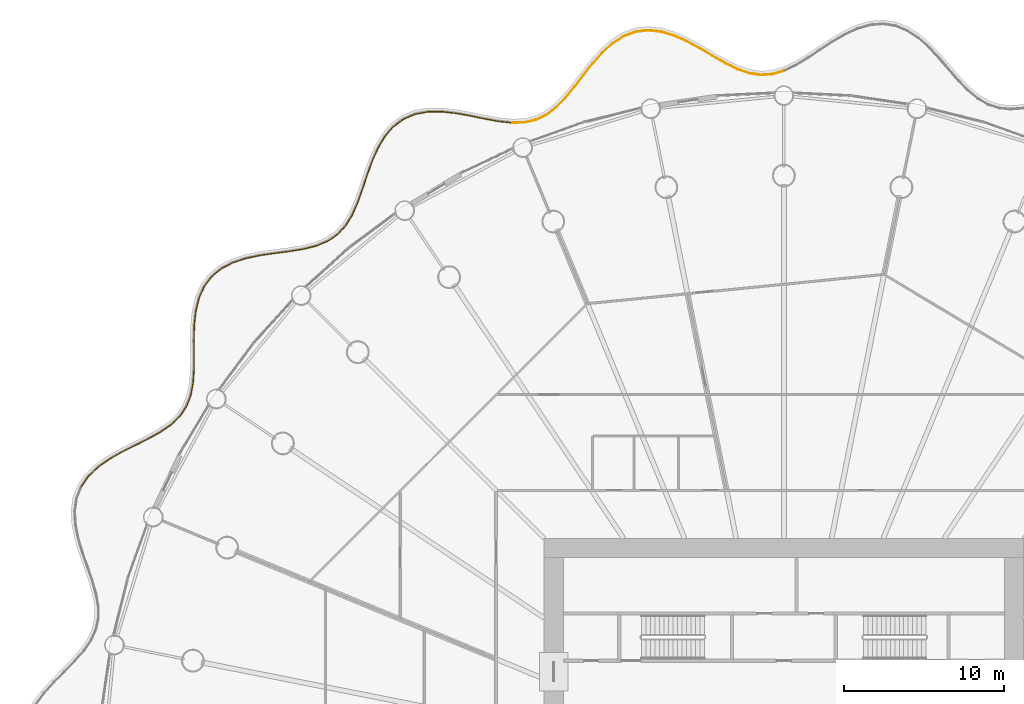
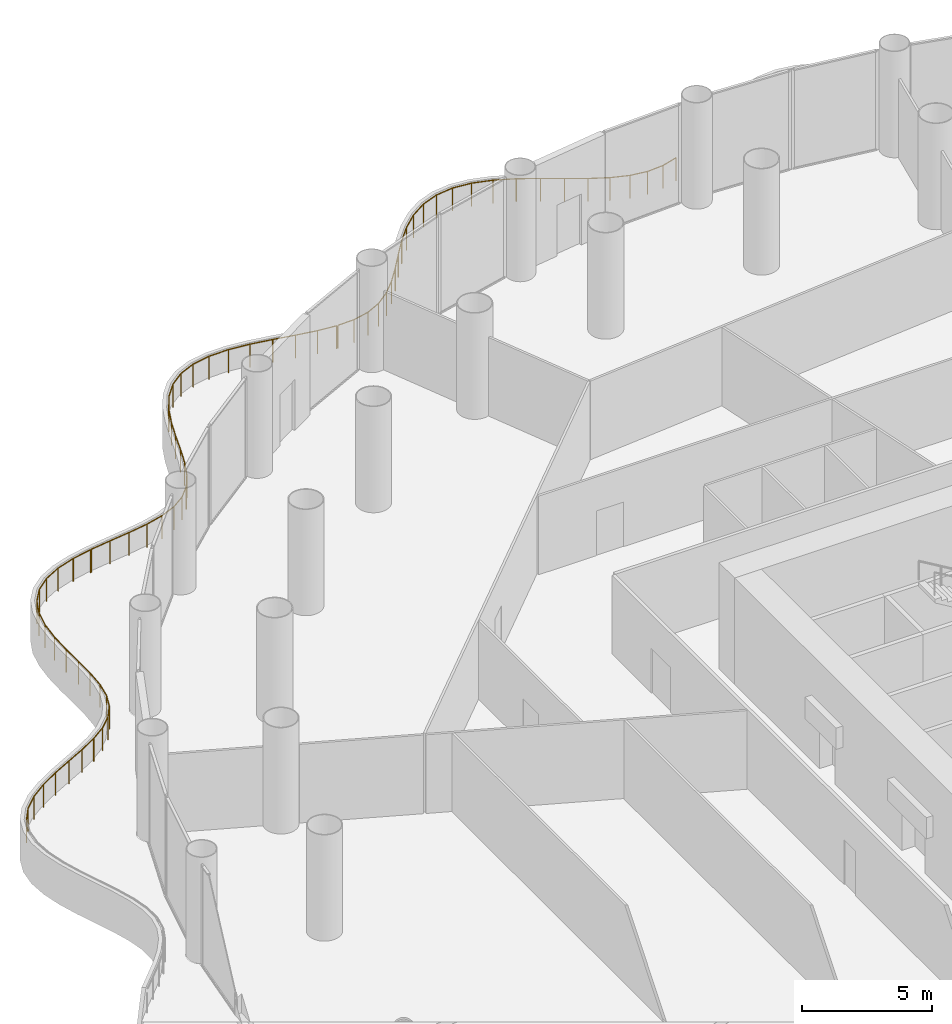
# One storey, part 34 of 35: 3 railings.
"""IFC4 building model written with IfcOpenShell, lengths in metres."""

from ifc_helpers import new_model, si_unit, direction, frame, origin, origin_2d, place, context, subcontext, project, spatial, circle, extrude, material, type_object, element, save


model = new_model("IFC4")

# Units and contexts
model_context = context("Model", 3, precision=1e-05, world=origin(), true_north=direction((0.0, 1.0)))
body_context = subcontext(model_context, "Body", "Model", "MODEL_VIEW")
ifc_project = project(units=[si_unit("LENGTHUNIT", "METRE"), si_unit("AREAUNIT", "SQUARE_METRE"), si_unit("VOLUMEUNIT", "CUBIC_METRE"), si_unit("PLANEANGLEUNIT", "RADIAN"), si_unit("MASSUNIT", "GRAM", prefix="KILO")], contexts=[model_context])

# Site, building, storey
site_placement = place(None, origin())
site = spatial("IfcSite", under=ifc_project, at=site_placement, CompositionType="ELEMENT")
building_placement = place(site_placement, origin())
building = spatial("IfcBuilding", under=site, at=building_placement, Name="Corvane Civic Tower", CompositionType="ELEMENT")
storey_placement = place(building_placement, frame((0.0, 0.0, 27.0)))
storey = spatial("IfcBuildingStorey", under=building, at=storey_placement, Name="L05", CompositionType="ELEMENT", Elevation=27.0)

# Railings
ifc_material = material(Name="Steel ASTM A572 Gr 50", Category="steel")
railing_type = type_object("IfcRailingType", Name="PODIUM-RL-GUARD-1100", PredefinedType="GUARDRAIL", material=ifc_material)
railing_1_placement = place(storey_placement, frame((-0.02392578125, 44.244384765625, 0.0)))
element("IfcRailing", 1, at=railing_1_placement, inside=storey, type_object=railing_type, Name="L05 ribbon guard 1", PredefinedType="GUARDRAIL", context=body_context, shape_type="SweptSolid", body=[
    extrude(circle(Radius=0.02392578125, at=origin_2d()), frame((0.0, 0.0, 1.076171875), z_axis=(-0.961294828304, -0.275521783305, 0.0), x_axis=(0.275521783305, -0.961294828304, 0.0)), (0.0, 0.0, 1.0), 0.724853515625),
    extrude(circle(Radius=0.02392578125, at=origin_2d()), frame((-0.69677734375, -0.19970703125, 1.076171875), z_axis=(-0.997635933822, -0.068720765038, 0.0), x_axis=(0.068720765038, -0.997635933822, 0.0)), (0.0, 0.0, 1.0), 0.72119140625),
    extrude(circle(Radius=0.02392578125, at=origin_2d()), frame((-1.416259765625, -0.249267578125, 1.076171875), z_axis=(-0.988711030335, 0.149834904127, 0.0), x_axis=(-0.149834904127, -0.988711030335, 0.0)), (0.0, 0.0, 1.0), 0.73486328125),
    extrude(circle(Radius=0.02392578125, at=origin_2d()), frame((-2.142822265625, -0.13916015625, 1.076171875), z_axis=(-0.945041590136, 0.326950138268, 0.0), x_axis=(-0.326950138268, -0.945041590136, 0.0)), (0.0, 0.0, 1.0), 0.783935546875),
    extrude(circle(Radius=0.02392578125, at=origin_2d()), frame((-2.8837890625, 0.1171875, 1.076171875), z_axis=(-0.897860384809, 0.440280285036, 0.0), x_axis=(-0.440280285036, -0.897860384809, 0.0)), (0.0, 0.0, 1.0), 0.8466796875),
    extrude(circle(Radius=0.02392578125, at=origin_2d()), frame((-3.64404296875, 0.489990234375, 1.076171875), z_axis=(-0.867642581652, 0.497188445666, 0.0), x_axis=(-0.497188445666, -0.867642581652, 0.0)), (0.0, 0.0, 1.0), 0.901611328125),
    extrude(circle(Radius=0.02392578125, at=origin_2d()), frame((-4.42626953125, 0.938232421875, 1.076171875), z_axis=(-0.861171719591, 0.50831414438, 0.0), x_axis=(-0.50831414438, -0.861171719591, 0.0)), (0.0, 0.0, 1.0), 0.931396484375),
    extrude(circle(Radius=0.02392578125, at=origin_2d()), frame((-5.228271484375, 1.41162109375, 1.076171875), z_axis=(-0.878186201729, 0.478318926128, 0.0), x_axis=(-0.478318926128, -0.878186201729, 0.0)), (0.0, 0.0, 1.0), 0.930419921875),
    extrude(circle(Radius=0.02392578125, at=origin_2d()), frame((-6.04541015625, 1.856689453125, 1.076171875), z_axis=(-0.914180103654, 0.405308201353, 0.0), x_axis=(-0.405308201353, -0.914180103654, 0.0)), (0.0, 0.0, 1.0), 0.900634765625),
    extrude(circle(Radius=0.02392578125, at=origin_2d()), frame((-6.86865234375, 2.2216796875, 1.076171875), z_axis=(-0.959533934686, 0.281593018709, 0.0), x_axis=(-0.281593018709, -0.959533934686, 0.0)), (0.0, 0.0, 1.0), 0.85302734375),
    extrude(circle(Radius=0.02392578125, at=origin_2d()), frame((-7.687255859375, 2.4619140625, 1.076171875), z_axis=(-0.994874001102, 0.101122311737, 0.0), x_axis=(-0.101122311737, -0.994874001102, 0.0)), (0.0, 0.0, 1.0), 0.806396484375),
    extrude(circle(Radius=0.02392578125, at=origin_2d()), frame((-8.489501953125, 2.54345703125, 1.076171875), z_axis=(-0.992330745237, -0.12361105152, 0.0), x_axis=(0.12361105152, -0.992330745237, 0.0)), (0.0, 0.0, 1.0), 0.7802734375),
    extrude(circle(Radius=0.02392578125, at=origin_2d()), frame((-9.263671875, 2.447021484375, 1.076171875), z_axis=(-0.93579289965, -0.352550207721, 0.0), x_axis=(0.352550207721, -0.93579289965, 0.0)), (0.0, 0.0, 1.0), 0.787353515625),
    extrude(circle(Radius=0.02392578125, at=origin_2d()), frame((-10.00048828125, 2.16943359375, 1.076171875), z_axis=(-0.841447725279, -0.540338528724, 0.0), x_axis=(0.540338528724, -0.841447725279, 0.0)), (0.0, 0.0, 1.0), 0.82470703125),
    extrude(circle(Radius=0.02392578125, at=origin_2d()), frame((-10.6943359375, 1.723876953125, 1.076171875), z_axis=(-0.743141376178, -0.669134437175, 0.0), x_axis=(0.669134437175, -0.743141376178, 0.0)), (0.0, 0.0, 1.0), 0.874267578125),
    extrude(circle(Radius=0.02392578125, at=origin_2d()), frame((-11.343994140625, 1.138916015625, 1.076171875), z_axis=(-0.664876433577, -0.746953364055, 0.0), x_axis=(0.746953364055, -0.664876433577, 0.0)), (0.0, 0.0, 1.0), 0.916259765625),
    extrude(circle(Radius=0.02392578125, at=origin_2d()), frame((-11.953125, 0.45458984375, 1.076171875), z_axis=(-0.617983033731, -0.786191433444, 0.0), x_axis=(0.786191433444, -0.617983033731, 0.0)), (0.0, 0.0, 1.0), 0.934814453125),
    extrude(circle(Radius=0.02392578125, at=origin_2d()), frame((-12.53076171875, -0.2802734375, 1.076171875), z_axis=(-0.606250579287, -0.795273685667, 0.0), x_axis=(0.795273685667, -0.606250579287, 0.0)), (0.0, 0.0, 1.0), 0.922119140625),
    extrude(circle(Radius=0.02392578125, at=origin_2d()), frame((-13.08984375, -1.013671875, 1.076171875), z_axis=(-0.632739607514, -0.774364635739, 0.0), x_axis=(0.774364635739, -0.632739607514, 0.0)), (0.0, 0.0, 1.0), 0.880859375),
    extrude(circle(Radius=0.02392578125, at=origin_2d()), frame((-13.647216796875, -1.69580078125, 1.076171875), z_axis=(-0.698573011535, -0.715538781308, 0.0), x_axis=(0.715538781308, -0.698573011535, 0.0)), (0.0, 0.0, 1.0), 0.8203125),
    extrude(circle(Radius=0.02392578125, at=origin_2d()), frame((-14.22021484375, -2.28271484375, 1.076171875), z_axis=(-0.796867223866, -0.604154473233, 0.0), x_axis=(0.604154473233, -0.796867223866, 0.0)), (0.0, 0.0, 1.0), 0.760009765625),
    extrude(circle(Radius=0.02392578125, at=origin_2d()), frame((-14.825927734375, -2.741943359375, 1.076171875), z_axis=(-0.902179876874, -0.431360023373, 0.0), x_axis=(0.431360023373, -0.902179876874, 0.0)), (0.0, 0.0, 1.0), 0.723876953125),
    extrude(circle(Radius=0.02392578125, at=origin_2d()), frame((-15.47900390625, -3.05419921875, 1.076171875), z_axis=(-0.974852266638, -0.222852099455, 0.0), x_axis=(0.222852099455, -0.974852266638, 0.0)), (0.0, 0.0, 1.0), 0.728515625),
    extrude(circle(Radius=0.02392578125, at=origin_2d()), frame((-16.189208984375, -3.216552734375, 1.076171875), z_axis=(-0.999506634758, -0.031408391796, 0.0), x_axis=(0.031408391796, -0.999506634758, 0.0)), (0.0, 0.0, 1.0), 0.746337890625),
    extrude(circle(Radius=0.02099609375, at=origin_2d()), origin(), (0.0, 0.0, 1.0), 1.052001953125),
    extrude(circle(Radius=0.02099609375, at=origin_2d()), frame((-0.69677734375, -0.19970703125, 0.0)), (0.0, 0.0, 1.0), 1.052001953125),
    extrude(circle(Radius=0.02099609375, at=origin_2d()), frame((-1.416259765625, -0.249267578125, 0.0)), (0.0, 0.0, 1.0), 1.052001953125),
    extrude(circle(Radius=0.02099609375, at=origin_2d()), frame((-2.142822265625, -0.13916015625, 0.0)), (0.0, 0.0, 1.0), 1.052001953125),
    extrude(circle(Radius=0.02099609375, at=origin_2d()), frame((-2.8837890625, 0.1171875, 0.0)), (0.0, 0.0, 1.0), 1.052001953125),
    extrude(circle(Radius=0.02099609375, at=origin_2d()), frame((-3.64404296875, 0.489990234375, 0.0)), (0.0, 0.0, 1.0), 1.052001953125),
    extrude(circle(Radius=0.02099609375, at=origin_2d()), frame((-4.42626953125, 0.938232421875, 0.0)), (0.0, 0.0, 1.0), 1.052001953125),
    extrude(circle(Radius=0.02099609375, at=origin_2d()), frame((-5.228271484375, 1.41162109375, 0.0)), (0.0, 0.0, 1.0), 1.052001953125),
    extrude(circle(Radius=0.02099609375, at=origin_2d()), frame((-6.04541015625, 1.856689453125, 0.0)), (0.0, 0.0, 1.0), 1.052001953125),
    extrude(circle(Radius=0.02099609375, at=origin_2d()), frame((-6.86865234375, 2.2216796875, 0.0)), (0.0, 0.0, 1.0), 1.052001953125),
    extrude(circle(Radius=0.02099609375, at=origin_2d()), frame((-7.687255859375, 2.4619140625, 0.0)), (0.0, 0.0, 1.0), 1.052001953125),
    extrude(circle(Radius=0.02099609375, at=origin_2d()), frame((-8.489501953125, 2.54345703125, 0.0)), (0.0, 0.0, 1.0), 1.052001953125),
    extrude(circle(Radius=0.02099609375, at=origin_2d()), frame((-9.263671875, 2.447021484375, 0.0)), (0.0, 0.0, 1.0), 1.052001953125),
    extrude(circle(Radius=0.02099609375, at=origin_2d()), frame((-10.00048828125, 2.16943359375, 0.0)), (0.0, 0.0, 1.0), 1.052001953125),
    extrude(circle(Radius=0.02099609375, at=origin_2d()), frame((-10.6943359375, 1.723876953125, 0.0)), (0.0, 0.0, 1.0), 1.052001953125),
    extrude(circle(Radius=0.02099609375, at=origin_2d()), frame((-11.343994140625, 1.138916015625, 0.0)), (0.0, 0.0, 1.0), 1.052001953125),
    extrude(circle(Radius=0.02099609375, at=origin_2d()), frame((-11.953125, 0.45458984375, 0.0)), (0.0, 0.0, 1.0), 1.052001953125),
    extrude(circle(Radius=0.02099609375, at=origin_2d()), frame((-12.53076171875, -0.2802734375, 0.0)), (0.0, 0.0, 1.0), 1.052001953125),
    extrude(circle(Radius=0.02099609375, at=origin_2d()), frame((-13.08984375, -1.013671875, 0.0)), (0.0, 0.0, 1.0), 1.052001953125),
    extrude(circle(Radius=0.02099609375, at=origin_2d()), frame((-13.647216796875, -1.69580078125, 0.0)), (0.0, 0.0, 1.0), 1.052001953125),
    extrude(circle(Radius=0.02099609375, at=origin_2d()), frame((-14.22021484375, -2.28271484375, 0.0)), (0.0, 0.0, 1.0), 1.052001953125),
    extrude(circle(Radius=0.02099609375, at=origin_2d()), frame((-14.825927734375, -2.741943359375, 0.0)), (0.0, 0.0, 1.0), 1.052001953125),
    extrude(circle(Radius=0.02099609375, at=origin_2d()), frame((-15.47900390625, -3.05419921875, 0.0)), (0.0, 0.0, 1.0), 1.052001953125),
    extrude(circle(Radius=0.02099609375, at=origin_2d()), frame((-16.189208984375, -3.216552734375, 0.0)), (0.0, 0.0, 1.0), 1.052001953125),
    extrude(circle(Radius=0.02099609375, at=origin_2d()), frame((-16.93505859375, -3.239990234375, 0.0)), (0.0, 0.0, 1.0), 1.052001953125),
])
railing_2_placement = place(storey_placement, frame((-17.009033203125, 41.00634765625, 0.0)))
element("IfcRailing", 2, at=railing_2_placement, inside=storey, type_object=railing_type, Name="L05 ribbon guard 2", PredefinedType="GUARDRAIL", context=body_context, shape_type="SweptSolid", body=[
    extrude(circle(Radius=0.02392578125, at=origin_2d()), frame((0.0, 0.0, 1.076171875), z_axis=(-0.994563188022, 0.104134840627, 0.0), x_axis=(-0.104134840627, -0.994563188022, 0.0)), (0.0, 0.0, 1.0), 0.808837890625),
    extrude(circle(Radius=0.02392578125, at=origin_2d()), frame((-0.804443359375, 0.084228515625, 1.076171875), z_axis=(-0.983729388064, 0.179656592029, 0.0), x_axis=(-0.179656592029, -0.983729388064, 0.0)), (0.0, 0.0, 1.0), 0.891357421875),
    extrude(circle(Radius=0.02392578125, at=origin_2d()), frame((-1.681396484375, 0.244384765625, 1.076171875), z_axis=(-0.979305409601, 0.202388030095, 0.0), x_axis=(-0.202388030095, -0.979305409601, 0.0)), (0.0, 0.0, 1.0), 0.927734375),
    extrude(circle(Radius=0.02392578125, at=origin_2d()), frame((-2.58984375, 0.43212890625, 1.076171875), z_axis=(-0.983999420882, 0.178171657969, 0.0), x_axis=(-0.178171657969, -0.983999420882, 0.0)), (0.0, 0.0, 1.0), 0.93310546875),
    extrude(circle(Radius=0.02392578125, at=origin_2d()), frame((-3.508056640625, 0.598388671875, 1.076171875), z_axis=(-0.994181417549, 0.107718656697, 0.0), x_axis=(-0.107718656697, -0.994181417549, 0.0)), (0.0, 0.0, 1.0), 0.908935546875),
    extrude(circle(Radius=0.02392578125, at=origin_2d()), frame((-4.41162109375, 0.6962890625, 1.076171875), z_axis=(-0.999911774813, -0.013283169422, 0.0), x_axis=(0.013283169422, -0.999911774813, 0.0)), (0.0, 0.0, 1.0), 0.86376953125),
    extrude(circle(Radius=0.02392578125, at=origin_2d()), frame((-5.275390625, 0.684814453125, 1.076171875), z_axis=(-0.982654443902, -0.185446067309, 0.0), x_axis=(0.185446067309, -0.982654443902, 0.0)), (0.0, 0.0, 1.0), 0.81494140625),
    extrude(circle(Radius=0.02392578125, at=origin_2d()), frame((-6.076171875, 0.53369140625, 1.076171875), z_axis=(-0.919080514782, -0.394069800096, 0.0), x_axis=(0.394069800096, -0.919080514782, 0.0)), (0.0, 0.0, 1.0), 0.783203125),
    extrude(circle(Radius=0.02392578125, at=origin_2d()), frame((-6.7958984375, 0.22509765625, 1.076171875), z_axis=(-0.800859579337, -0.598852180579, 0.0), x_axis=(0.598852180579, -0.800859579337, 0.0)), (0.0, 0.0, 1.0), 0.783203125),
    extrude(circle(Radius=0.02392578125, at=origin_2d()), frame((-7.423095703125, -0.243896484375, 1.076171875), z_axis=(-0.651925594689, -0.758282941249, 0.0), x_axis=(0.758282941249, -0.651925594689, 0.0)), (0.0, 0.0, 1.0), 0.81494140625),
    extrude(circle(Radius=0.02392578125, at=origin_2d()), frame((-7.954345703125, -0.86181640625, 1.076171875), z_axis=(-0.511250319836, -0.859431853301, 0.0), x_axis=(0.859431853301, -0.511250319836, 0.0)), (0.0, 0.0, 1.0), 0.86376953125),
    extrude(circle(Radius=0.02392578125, at=origin_2d()), frame((-8.39599609375, -1.604248046875, 1.076171875), z_axis=(-0.404043622694, -0.914739717603, 0.0), x_axis=(0.914739717603, -0.404043622694, 0.0)), (0.0, 0.0, 1.0), 0.90869140625),
    extrude(circle(Radius=0.02392578125, at=origin_2d()), frame((-8.76318359375, -2.435546875, 1.076171875), z_axis=(-0.337496288976, -0.941326858709, 0.0), x_axis=(0.941326858709, -0.337496288976, 0.0)), (0.0, 0.0, 1.0), 0.93310546875),
    extrude(circle(Radius=0.02392578125, at=origin_2d()), frame((-9.078125, -3.31396484375, 1.076171875), z_axis=(-0.314490302108, -0.949260685945, 0.0), x_axis=(0.949260685945, -0.314490302108, 0.0)), (0.0, 0.0, 1.0), 0.927734375),
    extrude(circle(Radius=0.02392578125, at=origin_2d()), frame((-9.369873046875, -4.194580078125, 1.076171875), z_axis=(-0.336284353127, -0.94176049707, 0.0), x_axis=(0.94176049707, -0.336284353127, 0.0)), (0.0, 0.0, 1.0), 0.8916015625),
    extrude(circle(Radius=0.02392578125, at=origin_2d()), frame((-9.669677734375, -5.0341796875, 1.076171875), z_axis=(-0.407062095939, -0.913400487218, 0.0), x_axis=(0.913400487218, -0.407062095939, 0.0)), (0.0, 0.0, 1.0), 0.833740234375),
    extrude(circle(Radius=0.02392578125, at=origin_2d()), frame((-10.009033203125, -5.795654296875, 1.076171875), z_axis=(-0.527095063724, -0.849806327229, 0.0), x_axis=(0.849806327229, -0.527095063724, 0.0)), (0.0, 0.0, 1.0), 0.771728515625),
    extrude(circle(Radius=0.02392578125, at=origin_2d()), frame((-10.415771484375, -6.451416015625, 1.076171875), z_axis=(-0.680129605089, -0.733091890749, 0.0), x_axis=(0.733091890749, -0.680129605089, 0.0)), (0.0, 0.0, 1.0), 0.728271484375),
    extrude(circle(Radius=0.02392578125, at=origin_2d()), frame((-10.9111328125, -6.9853515625, 1.076171875), z_axis=(-0.824769290196, -0.565469378437, 0.0), x_axis=(0.565469378437, -0.824769290196, 0.0)), (0.0, 0.0, 1.0), 0.72412109375),
    extrude(circle(Radius=0.02392578125, at=origin_2d()), frame((-11.50830078125, -7.394775390625, 1.076171875), z_axis=(-0.921635375138, -0.388057000058, 0.0), x_axis=(0.388057000058, -0.921635375138, 0.0)), (0.0, 0.0, 1.0), 0.760009765625),
    extrude(circle(Radius=0.02392578125, at=origin_2d()), frame((-12.208740234375, -7.689697265625, 1.076171875), z_axis=(-0.968940471293, -0.2472940822, 0.0), x_axis=(0.2472940822, -0.968940471293, 0.0)), (0.0, 0.0, 1.0), 0.8203125),
    extrude(circle(Radius=0.02392578125, at=origin_2d()), frame((-13.003662109375, -7.892578125, 1.076171875), z_axis=(-0.987030777898, -0.160531129327, 0.0), x_axis=(0.160531129327, -0.987030777898, 0.0)), (0.0, 0.0, 1.0), 0.880615234375),
    extrude(circle(Radius=0.02392578125, at=origin_2d()), frame((-13.872802734375, -8.033935546875, 1.076171875), z_axis=(-0.991831949658, -0.12755149406, 0.0), x_axis=(0.12755149406, -0.991831949658, 0.0)), (0.0, 0.0, 1.0), 0.922607421875),
    extrude(circle(Radius=0.02392578125, at=origin_2d()), frame((-14.787841796875, -8.151611328125, 1.076171875), z_axis=(-0.989868812418, -0.141984978788, 0.0), x_axis=(0.141984978788, -0.989868812418, 0.0)), (0.0, 0.0, 1.0), 0.90966796875),
    extrude(circle(Radius=0.02099609375, at=origin_2d()), origin(), (0.0, 0.0, 1.0), 1.052001953125),
    extrude(circle(Radius=0.02099609375, at=origin_2d()), frame((-0.804443359375, 0.084228515625, 0.0)), (0.0, 0.0, 1.0), 1.052001953125),
    extrude(circle(Radius=0.02099609375, at=origin_2d()), frame((-1.681396484375, 0.244384765625, 0.0)), (0.0, 0.0, 1.0), 1.052001953125),
    extrude(circle(Radius=0.02099609375, at=origin_2d()), frame((-2.58984375, 0.43212890625, 0.0)), (0.0, 0.0, 1.0), 1.052001953125),
    extrude(circle(Radius=0.02099609375, at=origin_2d()), frame((-3.508056640625, 0.598388671875, 0.0)), (0.0, 0.0, 1.0), 1.052001953125),
    extrude(circle(Radius=0.02099609375, at=origin_2d()), frame((-4.41162109375, 0.6962890625, 0.0)), (0.0, 0.0, 1.0), 1.052001953125),
    extrude(circle(Radius=0.02099609375, at=origin_2d()), frame((-5.275390625, 0.684814453125, 0.0)), (0.0, 0.0, 1.0), 1.052001953125),
    extrude(circle(Radius=0.02099609375, at=origin_2d()), frame((-6.076171875, 0.53369140625, 0.0)), (0.0, 0.0, 1.0), 1.052001953125),
    extrude(circle(Radius=0.02099609375, at=origin_2d()), frame((-6.7958984375, 0.22509765625, 0.0)), (0.0, 0.0, 1.0), 1.052001953125),
    extrude(circle(Radius=0.02099609375, at=origin_2d()), frame((-7.423095703125, -0.243896484375, 0.0)), (0.0, 0.0, 1.0), 1.052001953125),
    extrude(circle(Radius=0.02099609375, at=origin_2d()), frame((-7.954345703125, -0.86181640625, 0.0)), (0.0, 0.0, 1.0), 1.052001953125),
    extrude(circle(Radius=0.02099609375, at=origin_2d()), frame((-8.39599609375, -1.604248046875, 0.0)), (0.0, 0.0, 1.0), 1.052001953125),
    extrude(circle(Radius=0.02099609375, at=origin_2d()), frame((-8.76318359375, -2.435546875, 0.0)), (0.0, 0.0, 1.0), 1.052001953125),
    extrude(circle(Radius=0.02099609375, at=origin_2d()), frame((-9.078125, -3.31396484375, 0.0)), (0.0, 0.0, 1.0), 1.052001953125),
    extrude(circle(Radius=0.02099609375, at=origin_2d()), frame((-9.369873046875, -4.194580078125, 0.0)), (0.0, 0.0, 1.0), 1.052001953125),
    extrude(circle(Radius=0.02099609375, at=origin_2d()), frame((-9.669677734375, -5.0341796875, 0.0)), (0.0, 0.0, 1.0), 1.052001953125),
    extrude(circle(Radius=0.02099609375, at=origin_2d()), frame((-10.009033203125, -5.795654296875, 0.0)), (0.0, 0.0, 1.0), 1.052001953125),
    extrude(circle(Radius=0.02099609375, at=origin_2d()), frame((-10.415771484375, -6.451416015625, 0.0)), (0.0, 0.0, 1.0), 1.052001953125),
    extrude(circle(Radius=0.02099609375, at=origin_2d()), frame((-10.9111328125, -6.9853515625, 0.0)), (0.0, 0.0, 1.0), 1.052001953125),
    extrude(circle(Radius=0.02099609375, at=origin_2d()), frame((-11.50830078125, -7.394775390625, 0.0)), (0.0, 0.0, 1.0), 1.052001953125),
    extrude(circle(Radius=0.02099609375, at=origin_2d()), frame((-12.208740234375, -7.689697265625, 0.0)), (0.0, 0.0, 1.0), 1.052001953125),
    extrude(circle(Radius=0.02099609375, at=origin_2d()), frame((-13.003662109375, -7.892578125, 0.0)), (0.0, 0.0, 1.0), 1.052001953125),
    extrude(circle(Radius=0.02099609375, at=origin_2d()), frame((-13.872802734375, -8.033935546875, 0.0)), (0.0, 0.0, 1.0), 1.052001953125),
    extrude(circle(Radius=0.02099609375, at=origin_2d()), frame((-14.787841796875, -8.151611328125, 0.0)), (0.0, 0.0, 1.0), 1.052001953125),
    extrude(circle(Radius=0.02099609375, at=origin_2d()), frame((-15.688232421875, -8.28076171875, 0.0)), (0.0, 0.0, 1.0), 1.052001953125),
])
railing_3_placement = place(storey_placement, frame((-32.746337890625, 32.716796875, 0.0)))
element("IfcRailing", 3, at=railing_3_placement, inside=storey, type_object=railing_type, Name="L05 ribbon guard 3", PredefinedType="GUARDRAIL", context=body_context, shape_type="SweptSolid", body=[
    extrude(circle(Radius=0.02392578125, at=origin_2d()), frame((0.0, 0.0, 1.076171875), z_axis=(-0.979350284104, -0.202170771935, 0.0), x_axis=(0.202170771935, -0.979350284104, 0.0)), (0.0, 0.0, 1.0), 0.89111328125),
    extrude(circle(Radius=0.02392578125, at=origin_2d()), frame((-0.872802734375, -0.18017578125, 1.076171875), z_axis=(-0.951112018986, -0.308846122431, 0.0), x_axis=(0.308846122431, -0.951112018986, 0.0)), (0.0, 0.0, 1.0), 0.874267578125),
    extrude(circle(Radius=0.02392578125, at=origin_2d()), frame((-1.704345703125, -0.4501953125, 1.076171875), z_axis=(-0.888608978044, -0.458665547148, 0.0), x_axis=(0.458665547148, -0.888608978044, 0.0)), (0.0, 0.0, 1.0), 0.824462890625),
    extrude(circle(Radius=0.02392578125, at=origin_2d()), frame((-2.43701171875, -0.828369140625, 1.076171875), z_axis=(-0.773127936515, -0.634250103492, 0.0), x_axis=(0.634250103492, -0.773127936515, 0.0)), (0.0, 0.0, 1.0), 0.78759765625),
    extrude(circle(Radius=0.02392578125, at=origin_2d()), frame((-3.0458984375, -1.327880859375, 1.076171875), z_axis=(-0.603049995362, -0.797703392931, 0.0), x_axis=(0.797703392931, -0.603049995362, 0.0)), (0.0, 0.0, 1.0), 0.780029296875),
    extrude(circle(Radius=0.02392578125, at=origin_2d()), frame((-3.516357421875, -1.9501953125, 1.076171875), z_axis=(-0.41001209647, -0.912080084613, 0.0), x_axis=(0.912080084613, -0.41001209647, 0.0)), (0.0, 0.0, 1.0), 0.80615234375),
    extrude(circle(Radius=0.02392578125, at=origin_2d()), frame((-3.846923828125, -2.685546875, 1.076171875), z_axis=(-0.235796585795, -0.971802433691, 0.0), x_axis=(0.971802433691, -0.235796585795, 0.0)), (0.0, 0.0, 1.0), 0.853271484375),
    extrude(circle(Radius=0.02392578125, at=origin_2d()), frame((-4.048095703125, -3.5146484375, 1.076171875), z_axis=(-0.105997077035, -0.994366441338, 0.0), x_axis=(0.994366441338, -0.105997077035, 0.0)), (0.0, 0.0, 1.0), 0.900634765625),
    extrude(circle(Radius=0.02392578125, at=origin_2d()), frame((-4.1435546875, -4.41015625, 1.076171875), z_axis=(-0.024933175743, -0.999689120051, 0.0), x_axis=(0.999689120051, -0.024933175743, 0.0)), (0.0, 0.0, 1.0), 0.93017578125),
    extrude(circle(Radius=0.02392578125, at=origin_2d()), frame((-4.166748046875, -5.340087890625, 1.076171875), z_axis=(0.009436015013, -0.999955479819, 0.0), x_axis=(0.999955479819, 0.009436015013, 0.0)), (0.0, 0.0, 1.0), 0.931396484375),
    extrude(circle(Radius=0.02392578125, at=origin_2d()), frame((-4.157958984375, -6.271484375, 1.076171875), z_axis=(-0.003250253688, -0.999994717912, 0.0), x_axis=(0.999994717912, -0.003250253688, 0.0)), (0.0, 0.0, 1.0), 0.9013671875),
    extrude(circle(Radius=0.02392578125, at=origin_2d()), frame((-4.160888671875, -7.1728515625, 1.076171875), z_axis=(-0.067437118765, -0.99772352634, 0.0), x_axis=(0.99772352634, -0.067437118765, 0.0)), (0.0, 0.0, 1.0), 0.84716796875),
    extrude(circle(Radius=0.02392578125, at=origin_2d()), frame((-4.218017578125, -8.01806640625, 1.076171875), z_axis=(-0.18970227519, -0.981841660752, 0.0), x_axis=(0.981841660752, -0.18970227519, 0.0)), (0.0, 0.0, 1.0), 0.78369140625),
    extrude(circle(Radius=0.02392578125, at=origin_2d()), frame((-4.36669921875, -8.78759765625, 1.076171875), z_axis=(-0.36444945393, -0.93122317171, 0.0), x_axis=(0.93122317171, -0.36444945393, 0.0)), (0.0, 0.0, 1.0), 0.73486328125),
    extrude(circle(Radius=0.02392578125, at=origin_2d()), frame((-4.634521484375, -9.471923828125, 1.076171875), z_axis=(-0.558210589536, -0.82969930561, 0.0), x_axis=(0.82969930561, -0.558210589536, 0.0)), (0.0, 0.0, 1.0), 0.72119140625),
    extrude(circle(Radius=0.02392578125, at=origin_2d()), frame((-5.037109375, -10.0703125, 1.076171875), z_axis=(-0.71905346714, -0.694954754926, 0.0), x_axis=(0.694954754926, -0.71905346714, 0.0)), (0.0, 0.0, 1.0), 0.749755859375),
    extrude(circle(Radius=0.02392578125, at=origin_2d()), frame((-5.576171875, -10.59130859375, 1.076171875), z_axis=(-0.821570758338, -0.570106559377, 0.0), x_axis=(0.570106559377, -0.821570758338, 0.0)), (0.0, 0.0, 1.0), 0.806884765625),
    extrude(circle(Radius=0.02392578125, at=origin_2d()), frame((-6.239013671875, -11.05126953125, 1.076171875), z_axis=(-0.874752887878, -0.484569277967, 0.0), x_axis=(0.484569277967, -0.874752887878, 0.0)), (0.0, 0.0, 1.0), 0.869140625),
    extrude(circle(Radius=0.02392578125, at=origin_2d()), frame((-6.999267578125, -11.472412109375, 1.076171875), z_axis=(-0.895437895525, -0.445186449993, 0.0), x_axis=(0.445186449993, -0.895437895525, 0.0)), (0.0, 0.0, 1.0), 0.915771484375),
    extrude(circle(Radius=0.02392578125, at=origin_2d()), frame((-7.8193359375, -11.880126953125, 1.076171875), z_axis=(-0.893274995005, -0.449510604212, 0.0), x_axis=(0.449510604212, -0.893274995005, 0.0)), (0.0, 0.0, 1.0), 0.934814453125),
    extrude(circle(Radius=0.02392578125, at=origin_2d()), frame((-8.654296875, -12.30029296875, 1.076171875), z_axis=(-0.869040218452, -0.494741446326, 0.0), x_axis=(0.494741446326, -0.869040218452, 0.0)), (0.0, 0.0, 1.0), 0.92236328125),
    extrude(circle(Radius=0.02392578125, at=origin_2d()), frame((-9.455810546875, -12.756591796875, 1.076171875), z_axis=(-0.815427285454, -0.578859518482, 0.0), x_axis=(0.578859518482, -0.815427285454, 0.0)), (0.0, 0.0, 1.0), 0.884521484375),
    extrude(circle(Radius=0.02392578125, at=origin_2d()), frame((-10.177001953125, -13.2685546875, 1.076171875), z_axis=(-0.718998120827, -0.695012015901, 0.0), x_axis=(0.695012015901, -0.718998120827, 0.0)), (0.0, 0.0, 1.0), 0.834716796875),
    extrude(circle(Radius=0.02392578125, at=origin_2d()), frame((-10.777099609375, -13.8486328125, 1.076171875), z_axis=(-0.564923088251, -0.825143565909, 0.0), x_axis=(0.825143565909, -0.564923088251, 0.0)), (0.0, 0.0, 1.0), 0.768310546875),
    extrude(circle(Radius=0.02099609375, at=origin_2d()), origin(), (0.0, 0.0, 1.0), 1.052001953125),
    extrude(circle(Radius=0.02099609375, at=origin_2d()), frame((-0.872802734375, -0.18017578125, 0.0)), (0.0, 0.0, 1.0), 1.052001953125),
    extrude(circle(Radius=0.02099609375, at=origin_2d()), frame((-1.704345703125, -0.4501953125, 0.0)), (0.0, 0.0, 1.0), 1.052001953125),
    extrude(circle(Radius=0.02099609375, at=origin_2d()), frame((-2.43701171875, -0.828369140625, 0.0)), (0.0, 0.0, 1.0), 1.052001953125),
    extrude(circle(Radius=0.02099609375, at=origin_2d()), frame((-3.0458984375, -1.327880859375, 0.0)), (0.0, 0.0, 1.0), 1.052001953125),
    extrude(circle(Radius=0.02099609375, at=origin_2d()), frame((-3.516357421875, -1.9501953125, 0.0)), (0.0, 0.0, 1.0), 1.052001953125),
    extrude(circle(Radius=0.02099609375, at=origin_2d()), frame((-3.846923828125, -2.685546875, 0.0)), (0.0, 0.0, 1.0), 1.052001953125),
    extrude(circle(Radius=0.02099609375, at=origin_2d()), frame((-4.048095703125, -3.5146484375, 0.0)), (0.0, 0.0, 1.0), 1.052001953125),
    extrude(circle(Radius=0.02099609375, at=origin_2d()), frame((-4.1435546875, -4.41015625, 0.0)), (0.0, 0.0, 1.0), 1.052001953125),
    extrude(circle(Radius=0.02099609375, at=origin_2d()), frame((-4.166748046875, -5.340087890625, 0.0)), (0.0, 0.0, 1.0), 1.052001953125),
    extrude(circle(Radius=0.02099609375, at=origin_2d()), frame((-4.157958984375, -6.271484375, 0.0)), (0.0, 0.0, 1.0), 1.052001953125),
    extrude(circle(Radius=0.02099609375, at=origin_2d()), frame((-4.160888671875, -7.1728515625, 0.0)), (0.0, 0.0, 1.0), 1.052001953125),
    extrude(circle(Radius=0.02099609375, at=origin_2d()), frame((-4.218017578125, -8.01806640625, 0.0)), (0.0, 0.0, 1.0), 1.052001953125),
    extrude(circle(Radius=0.02099609375, at=origin_2d()), frame((-4.36669921875, -8.78759765625, 0.0)), (0.0, 0.0, 1.0), 1.052001953125),
    extrude(circle(Radius=0.02099609375, at=origin_2d()), frame((-4.634521484375, -9.471923828125, 0.0)), (0.0, 0.0, 1.0), 1.052001953125),
    extrude(circle(Radius=0.02099609375, at=origin_2d()), frame((-5.037109375, -10.0703125, 0.0)), (0.0, 0.0, 1.0), 1.052001953125),
    extrude(circle(Radius=0.02099609375, at=origin_2d()), frame((-5.576171875, -10.59130859375, 0.0)), (0.0, 0.0, 1.0), 1.052001953125),
    extrude(circle(Radius=0.02099609375, at=origin_2d()), frame((-6.239013671875, -11.05126953125, 0.0)), (0.0, 0.0, 1.0), 1.052001953125),
    extrude(circle(Radius=0.02099609375, at=origin_2d()), frame((-6.999267578125, -11.472412109375, 0.0)), (0.0, 0.0, 1.0), 1.052001953125),
    extrude(circle(Radius=0.02099609375, at=origin_2d()), frame((-7.8193359375, -11.880126953125, 0.0)), (0.0, 0.0, 1.0), 1.052001953125),
    extrude(circle(Radius=0.02099609375, at=origin_2d()), frame((-8.654296875, -12.30029296875, 0.0)), (0.0, 0.0, 1.0), 1.052001953125),
    extrude(circle(Radius=0.02099609375, at=origin_2d()), frame((-9.455810546875, -12.756591796875, 0.0)), (0.0, 0.0, 1.0), 1.052001953125),
    extrude(circle(Radius=0.02099609375, at=origin_2d()), frame((-10.177001953125, -13.2685546875, 0.0)), (0.0, 0.0, 1.0), 1.052001953125),
    extrude(circle(Radius=0.02099609375, at=origin_2d()), frame((-10.777099609375, -13.8486328125, 0.0)), (0.0, 0.0, 1.0), 1.052001953125),
    extrude(circle(Radius=0.02099609375, at=origin_2d()), frame((-11.211181640625, -14.482666015625, 0.0)), (0.0, 0.0, 1.0), 1.052001953125),
])

save(model, "model.ifc")
